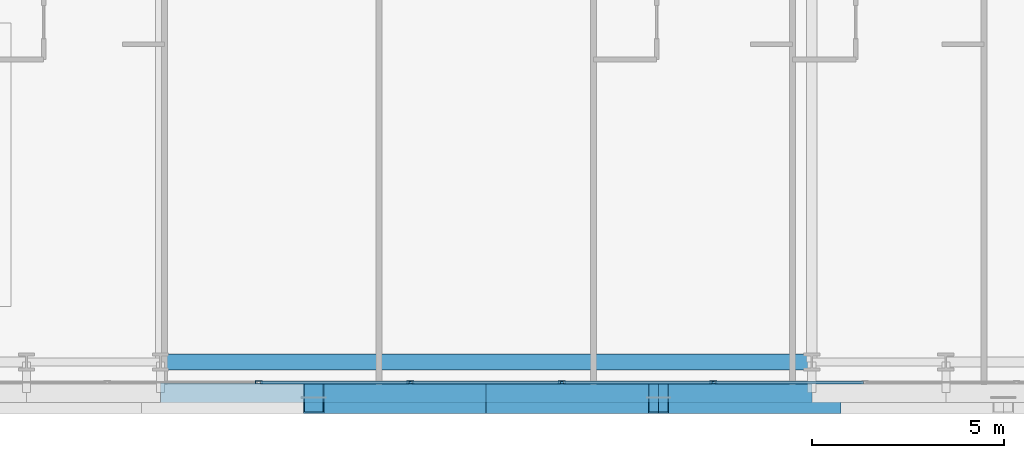
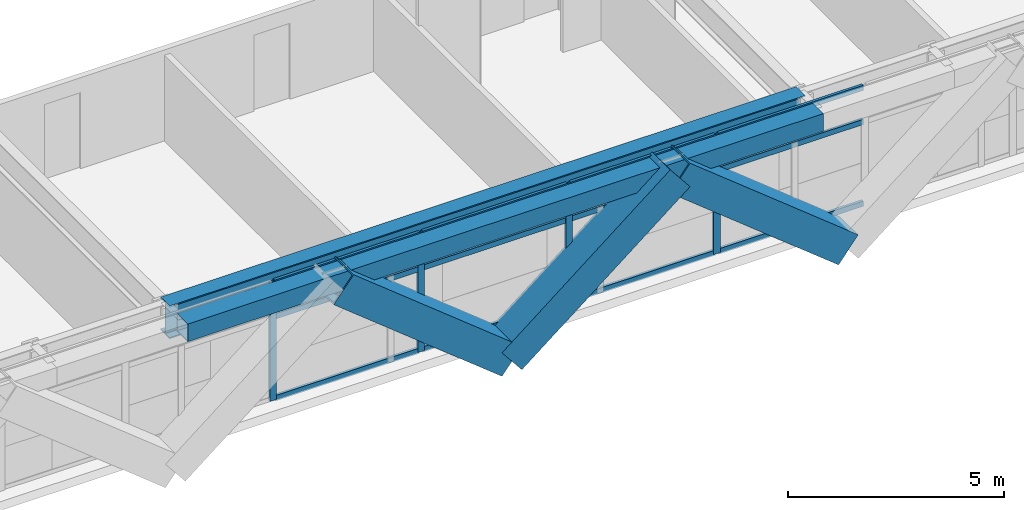
# One storey, part 5 of 35: 19 members, 2 beams, 1 element without a shape of its own.
"""IFC4 building model written with IfcOpenShell, lengths in metres."""

from ifc_helpers import new_model, si_unit, direction, frame, origin, origin_2d, place, context, subcontext, project, spatial, hollow_rectangle, i_section, extrude, source, transform, mapped, material, layer, layer_set, material_profile, profile_set, type_object, element, aggregate, save


model = new_model("IFC4")

# Units and contexts
model_context = context("Model", 3, precision=1e-05, world=origin(), true_north=direction((0.0, 1.0)))
body_context = subcontext(model_context, "Body", "Model", "MODEL_VIEW")
ifc_project = project(units=[si_unit("LENGTHUNIT", "METRE"), si_unit("AREAUNIT", "SQUARE_METRE"), si_unit("VOLUMEUNIT", "CUBIC_METRE"), si_unit("PLANEANGLEUNIT", "RADIAN"), si_unit("MASSUNIT", "GRAM", prefix="KILO")], contexts=[model_context])

# Site, building, storey
site_placement = place(None, origin())
site = spatial("IfcSite", under=ifc_project, at=site_placement, CompositionType="ELEMENT")
building_placement = place(site_placement, origin())
building = spatial("IfcBuilding", under=site, at=building_placement, Name="Ocotamira Hotel", CompositionType="ELEMENT")
storey_placement = place(building_placement, frame((0.0, 0.0, 70.800048828125)))
storey = spatial("IfcBuildingStorey", under=building, at=storey_placement, Name="L17", CompositionType="ELEMENT", Elevation=70.800048828125)

# Beams
ifc_material_1 = material(Name="Steel ASTM A992 Grade 50", Category="steel")
ifc_material_profile_1 = material_profile(ifc_material_1, i_section(OverallWidth=0.41796875, OverallDepth=0.927001953125, WebThickness=0.019287109375, FlangeThickness=0.031982421875, FilletRadius=0.02392578125, at=origin_2d()), Name="W36X231")
ifc_profile_set_1 = profile_set([ifc_material_profile_1], Name="Steel ASTM A992 Grade 50")
beam_type_1 = type_object("IfcBeamType", Name="BM-GIRD-W36X231", PredefinedType="BEAM", material=ifc_profile_set_1)
shared_shape_1 = source(origin(), body_context, "Body", "SweptSolid", [
    extrude(i_section(OverallWidth=0.41796875, OverallDepth=0.927001953125, WebThickness=0.019287109375, FlangeThickness=0.031982421875, FilletRadius=0.02392578125, at=origin_2d()), origin(), (0.0, 0.0, 1.0), 17.0),
])
beam_1_placement = place(storey_placement, frame((23.5, 2.949951171875, 2.886474609375), z_axis=(1.0, 0.0, 0.0), x_axis=(0.0, 1.0, 0.0)))
element("IfcBeam", 1, at=beam_1_placement, inside=storey, type_object=beam_type_1, Name="L17 Girder Y2.95 X23.5-40.5", PredefinedType="BEAM", context=body_context, shape_type="MappedRepresentation", body=[
    mapped(shared_shape_1, transform((0.0, 0.0, 0.0), scale=1.0)),
])
ifc_material_2 = material(Name="Steel ASTM A500 Grade C", Category="steel")
ifc_material_profile_2 = material_profile(ifc_material_2, hollow_rectangle(XDim=0.5, YDim=0.5, WallThickness=0.02001953125, at=origin_2d()), Name="HSS500X500X20")
ifc_profile_set_2 = profile_set([ifc_material_profile_2], Name="Steel ASTM A500 Grade C")
beam_type_2 = type_object("IfcBeamType", Name="BM-SPAN-HSS500", PredefinedType="USERDEFINED", material=ifc_profile_set_2)
shared_shape_2 = source(origin(), body_context, "Body", "SweptSolid", [
    extrude(hollow_rectangle(XDim=0.5, YDim=0.5, WallThickness=0.02001953125, at=origin_2d()), origin(), (0.0, 0.0, 1.0), 17.0),
])
beam_2_placement = place(storey_placement, frame((23.5, 2.14990234375, 3.099853515625), z_axis=(1.0, 0.0, 0.0), x_axis=(0.0, 1.0, 0.0)))
element("IfcBeam", 2, at=beam_2_placement, inside=storey, type_object=beam_type_2, Name="L17 Edge Spandrel S X23.5-40.5", ObjectType="SPANDREL", PredefinedType="USERDEFINED", context=body_context, shape_type="MappedRepresentation", body=[
    mapped(shared_shape_2, transform((0.0, 0.0, 0.0), scale=1.0)),
])

# Members
ifc_material_3 = material(Name="Pale-metal coated steel ASTM A913 Grade 65", Category="steel")
ifc_material_profile_3 = material_profile(ifc_material_3, hollow_rectangle(XDim=0.85009765625, YDim=0.85009765625, WallThickness=0.035888671875, at=origin_2d()), Name="BOX850X850X36")
ifc_profile_set_3 = profile_set([ifc_material_profile_3], Name="Pale-metal coated steel ASTM A913 Grade 65")
member_type_1 = type_object("IfcMemberType", Name="MEM-EXO-BOX850", PredefinedType="BRACE", material=ifc_profile_set_3)
shared_shape_3 = source(origin(), body_context, "Body", "SweptSolid", [
    extrude(hollow_rectangle(XDim=0.85009765625, YDim=0.85009765625, WallThickness=0.035888671875, at=origin_2d()), origin(), (0.0, 0.0, 1.0), 5.7626953125),
])
for number, where, z_axis, x_axis, name in (
    (3, (32.0, 2.030029296875, -0.5), (-0.780881208953, 0.0, 0.624679547852), (0.0, -1.0, 0.0), "L17 Exoskeleton Diagrid S1.2"),
    (4, (32.0, 2.030029296875, -0.5), (0.780881208953, 0.0, 0.624679547852), (0.0, 1.0, 0.0), "L17 Exoskeleton Diagrid S2.1"),
    (5, (41.0, 2.030029296875, -0.5), (-0.780881208953, 0.0, 0.624679547852), (0.0, -1.0, 0.0), "L17 Exoskeleton Diagrid S2.2"),
):
    element("IfcMember", number, at=place(storey_placement, frame(where, z_axis=z_axis, x_axis=x_axis)), inside=storey, type_object=member_type_1, Name=name, PredefinedType="BRACE", context=body_context, shape_type="MappedRepresentation", body=[
        mapped(shared_shape_3, transform((0.0, 0.0, 0.0), scale=1.0)),
    ])

# Curtain wall, members
ifc_material_4 = material(Name="Anodised pale-metal aluminium and solar glass", Category="aluminium")
ifc_layer = layer(ifc_material_4, 0.179931640625)
ifc_layer_set = layer_set([ifc_layer], Name="Anodised pale-metal aluminium and solar glass")
curtain_wall_type = type_object("IfcCurtainWallType", Name="CW-SYS2-Z1", PredefinedType="NOTDEFINED", material=ifc_layer_set)
curtain_wall_placement = place(storey_placement, origin())
curtain_wall = element("IfcCurtainWall", 6, at=curtain_wall_placement, inside=storey, type_object=curtain_wall_type, Name="L17 Curtain Wall CW-2 CW-L17-S1", PredefinedType="NOTDEFINED")
ifc_material_5 = material(Name="Anodised pale-metal aluminium 6063-T6", Category="aluminium")
ifc_material_profile_4 = material_profile(ifc_material_5, hollow_rectangle(XDim=0.080078125, YDim=0.179931640625, WallThickness=0.006103515625, at=origin_2d()), Name="HSS180X80X6")
ifc_profile_set_4 = profile_set([ifc_material_profile_4], Name="Anodised pale-metal aluminium 6063-T6")
member_type_2 = type_object("IfcMemberType", Name="CWM-180X75", PredefinedType="MULLION", material=ifc_profile_set_4)
shared_shape_4 = source(origin(), body_context, "Body", "SweptSolid", [
    extrude(hollow_rectangle(XDim=0.080078125, YDim=0.179931640625, WallThickness=0.006103515625, at=origin_2d()), origin(), (0.0, 0.0, 1.0), 3.349853515625),
])
member_1_placement = place(storey_placement, frame((26.066650390625, 2.419921875, 0.0), z_axis=(0.0, 0.0, 1.0), x_axis=(0.0, 1.0, 0.0)))
member_1 = element("IfcMember", 7, at=member_1_placement, type_object=member_type_2, Name="CW-2 mullion 4", PredefinedType="MULLION", context=body_context, shape_type="MappedRepresentation", body=[
    mapped(shared_shape_4, transform((0.0, 0.0, 0.0), scale=1.0)),
])
member_2_placement = place(storey_placement, frame((30.022216796875, 2.419921875, 0.0), z_axis=(0.0, 0.0, 1.0), x_axis=(0.0, 1.0, 0.0)))
member_2 = element("IfcMember", 8, at=member_2_placement, type_object=member_type_2, Name="CW-2 mullion 5", PredefinedType="MULLION", context=body_context, shape_type="MappedRepresentation", body=[
    mapped(shared_shape_4, transform((0.0, 0.0, 0.0), scale=1.0)),
])
member_3_placement = place(storey_placement, frame((33.977783203125, 2.419921875, 0.0), z_axis=(0.0, 0.0, 1.0), x_axis=(0.0, 1.0, 0.0)))
member_3 = element("IfcMember", 9, at=member_3_placement, type_object=member_type_2, Name="CW-2 mullion 6", PredefinedType="MULLION", context=body_context, shape_type="MappedRepresentation", body=[
    mapped(shared_shape_4, transform((0.0, 0.0, 0.0), scale=1.0)),
])
member_4_placement = place(storey_placement, frame((37.933349609375, 2.419921875, 0.0), z_axis=(0.0, 0.0, 1.0), x_axis=(0.0, 1.0, 0.0)))
member_4 = element("IfcMember", 10, at=member_4_placement, type_object=member_type_2, Name="CW-2 mullion 7", PredefinedType="MULLION", context=body_context, shape_type="MappedRepresentation", body=[
    mapped(shared_shape_4, transform((0.0, 0.0, 0.0), scale=1.0)),
])
ifc_material_profile_5 = material_profile(ifc_material_5, hollow_rectangle(XDim=0.074951171875, YDim=0.14990234375, WallThickness=0.006103515625, at=origin_2d()), Name="HSS150X75X6")
ifc_profile_set_5 = profile_set([ifc_material_profile_5], Name="Anodised pale-metal aluminium 6063-T6")
member_type_3 = type_object("IfcMemberType", Name="CWT-150X75", PredefinedType="USERDEFINED", material=ifc_profile_set_5)
shared_shape_5 = source(origin(), body_context, "Body", "SweptSolid", [
    extrude(hollow_rectangle(XDim=0.074951171875, YDim=0.14990234375, WallThickness=0.006103515625, at=origin_2d()), origin(), (0.0, 0.0, 1.0), 3.87548828125),
])
member_5_placement = place(storey_placement, frame((26.106689453125, 2.419921875, 0.037353515625), z_axis=(1.0, 0.0, 0.0), x_axis=(0.0, 1.0, 0.0)))
member_5 = element("IfcMember", 11, at=member_5_placement, type_object=member_type_3, Name="CW-2 transom 4.1", ObjectType="TRANSOM", PredefinedType="USERDEFINED", context=body_context, shape_type="MappedRepresentation", body=[
    mapped(shared_shape_5, transform((0.0, 0.0, 0.0), scale=1.0)),
])
member_6_placement = place(storey_placement, frame((26.106689453125, 2.419921875, 2.349853515625), z_axis=(1.0, 0.0, 0.0), x_axis=(0.0, 1.0, 0.0)))
member_6 = element("IfcMember", 12, at=member_6_placement, type_object=member_type_3, Name="CW-2 transom 4.2", ObjectType="TRANSOM", PredefinedType="USERDEFINED", context=body_context, shape_type="MappedRepresentation", body=[
    mapped(shared_shape_5, transform((0.0, 0.0, 0.0), scale=1.0)),
])
member_7_placement = place(storey_placement, frame((26.106689453125, 2.419921875, 3.3125), z_axis=(1.0, 0.0, 0.0), x_axis=(0.0, 1.0, 0.0)))
member_7 = element("IfcMember", 13, at=member_7_placement, type_object=member_type_3, Name="CW-2 transom 4.3", ObjectType="TRANSOM", PredefinedType="USERDEFINED", context=body_context, shape_type="MappedRepresentation", body=[
    mapped(shared_shape_5, transform((0.0, 0.0, 0.0), scale=1.0)),
])
member_8_placement = place(storey_placement, frame((30.062255859375, 2.419921875, 0.037353515625), z_axis=(1.0, 0.0, 0.0), x_axis=(0.0, 1.0, 0.0)))
member_8 = element("IfcMember", 14, at=member_8_placement, type_object=member_type_3, Name="CW-2 transom 5.1", ObjectType="TRANSOM", PredefinedType="USERDEFINED", context=body_context, shape_type="MappedRepresentation", body=[
    mapped(shared_shape_5, transform((0.0, 0.0, 0.0), scale=1.0)),
])
member_9_placement = place(storey_placement, frame((30.062255859375, 2.419921875, 2.349853515625), z_axis=(1.0, 0.0, 0.0), x_axis=(0.0, 1.0, 0.0)))
member_9 = element("IfcMember", 15, at=member_9_placement, type_object=member_type_3, Name="CW-2 transom 5.2", ObjectType="TRANSOM", PredefinedType="USERDEFINED", context=body_context, shape_type="MappedRepresentation", body=[
    mapped(shared_shape_5, transform((0.0, 0.0, 0.0), scale=1.0)),
])
member_10_placement = place(storey_placement, frame((30.062255859375, 2.419921875, 3.3125), z_axis=(1.0, 0.0, 0.0), x_axis=(0.0, 1.0, 0.0)))
member_10 = element("IfcMember", 16, at=member_10_placement, type_object=member_type_3, Name="CW-2 transom 5.3", ObjectType="TRANSOM", PredefinedType="USERDEFINED", context=body_context, shape_type="MappedRepresentation", body=[
    mapped(shared_shape_5, transform((0.0, 0.0, 0.0), scale=1.0)),
])
member_11_placement = place(storey_placement, frame((34.017822265625, 2.419921875, 0.037353515625), z_axis=(1.0, 0.0, 0.0), x_axis=(0.0, 1.0, 0.0)))
member_11 = element("IfcMember", 17, at=member_11_placement, type_object=member_type_3, Name="CW-2 transom 6.1", ObjectType="TRANSOM", PredefinedType="USERDEFINED", context=body_context, shape_type="MappedRepresentation", body=[
    mapped(shared_shape_5, transform((0.0, 0.0, 0.0), scale=1.0)),
])
member_12_placement = place(storey_placement, frame((34.017822265625, 2.419921875, 2.349853515625), z_axis=(1.0, 0.0, 0.0), x_axis=(0.0, 1.0, 0.0)))
member_12 = element("IfcMember", 18, at=member_12_placement, type_object=member_type_3, Name="CW-2 transom 6.2", ObjectType="TRANSOM", PredefinedType="USERDEFINED", context=body_context, shape_type="MappedRepresentation", body=[
    mapped(shared_shape_5, transform((0.0, 0.0, 0.0), scale=1.0)),
])
member_13_placement = place(storey_placement, frame((34.017822265625, 2.419921875, 3.3125), z_axis=(1.0, 0.0, 0.0), x_axis=(0.0, 1.0, 0.0)))
member_13 = element("IfcMember", 19, at=member_13_placement, type_object=member_type_3, Name="CW-2 transom 6.3", ObjectType="TRANSOM", PredefinedType="USERDEFINED", context=body_context, shape_type="MappedRepresentation", body=[
    mapped(shared_shape_5, transform((0.0, 0.0, 0.0), scale=1.0)),
])
member_14_placement = place(storey_placement, frame((37.973388671875, 2.419921875, 0.037353515625), z_axis=(1.0, 0.0, 0.0), x_axis=(0.0, 1.0, 0.0)))
member_14 = element("IfcMember", 20, at=member_14_placement, type_object=member_type_3, Name="CW-2 transom 7.1", ObjectType="TRANSOM", PredefinedType="USERDEFINED", context=body_context, shape_type="MappedRepresentation", body=[
    mapped(shared_shape_5, transform((0.0, 0.0, 0.0), scale=1.0)),
])
member_15_placement = place(storey_placement, frame((37.973388671875, 2.419921875, 2.349853515625), z_axis=(1.0, 0.0, 0.0), x_axis=(0.0, 1.0, 0.0)))
member_15 = element("IfcMember", 21, at=member_15_placement, type_object=member_type_3, Name="CW-2 transom 7.2", ObjectType="TRANSOM", PredefinedType="USERDEFINED", context=body_context, shape_type="MappedRepresentation", body=[
    mapped(shared_shape_5, transform((0.0, 0.0, 0.0), scale=1.0)),
])
member_16_placement = place(storey_placement, frame((37.973388671875, 2.419921875, 3.3125), z_axis=(1.0, 0.0, 0.0), x_axis=(0.0, 1.0, 0.0)))
member_16 = element("IfcMember", 22, at=member_16_placement, type_object=member_type_3, Name="CW-2 transom 7.3", ObjectType="TRANSOM", PredefinedType="USERDEFINED", context=body_context, shape_type="MappedRepresentation", body=[
    mapped(shared_shape_5, transform((0.0, 0.0, 0.0), scale=1.0)),
])
aggregate(curtain_wall, [member_1, member_2, member_3, member_4, member_5, member_6, member_7, member_8, member_9, member_10, member_11, member_12, member_13, member_14, member_15, member_16])

save(model, "model.ifc")
